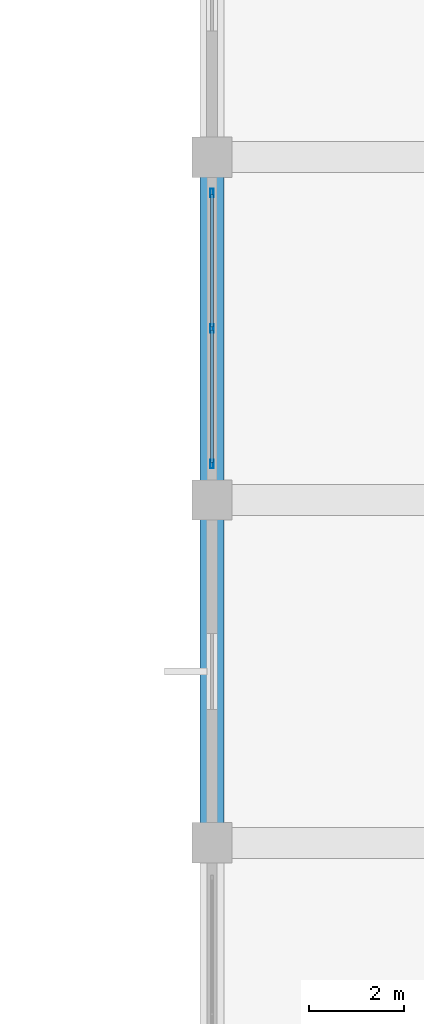
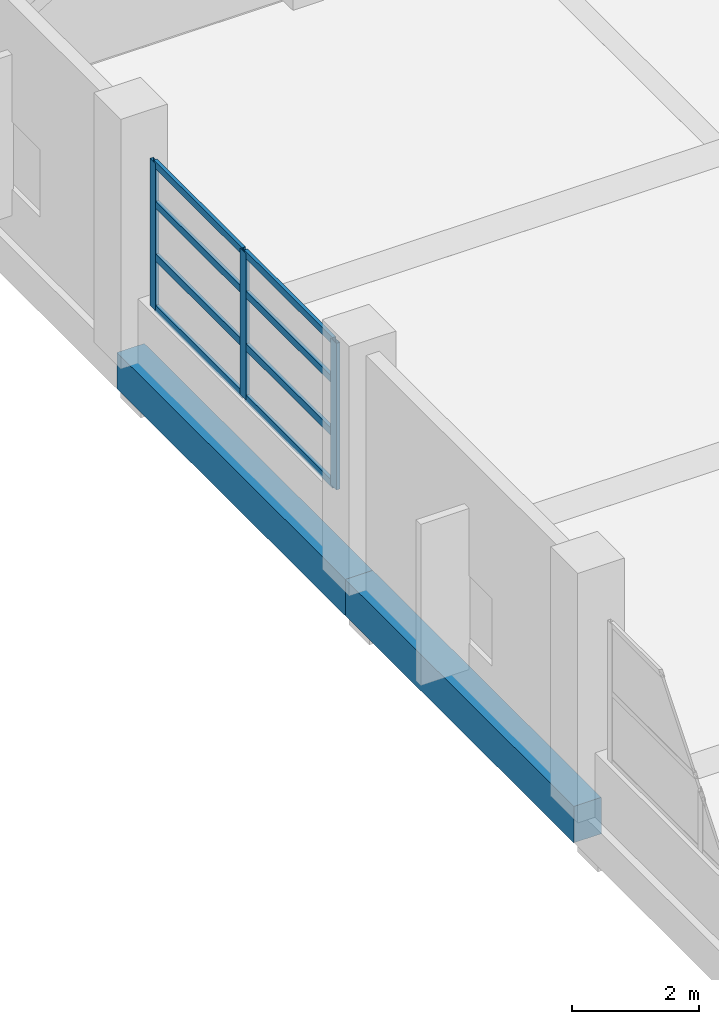
# One storey, part 79 of 181: 11 members, 2 beams, 1 element without a shape of its own.
"""IFC4 building model written with IfcOpenShell, lengths in metres."""

import ifcopenshell
import ifcopenshell.guid

model = None  # the IFC model being written
_history = None  # IfcOwnerHistory: only IFC2X3 demands one
_inside = {}  # id of a spatial element -> (the spatial element, [elements in it])
_under = {}  # id of a project, library or spatial element -> (it, [spatial elements below it])
_declared = {}  # id of a project -> (the project, [libraries it declares])
_typed = {}  # id of a type object -> (the type object, [elements of that type])
_made_of = {}  # id of a material, layer set ... -> (it, [elements and type objects made of it])


def new_model(schema):
    """Start an empty IFC model of exactly this schema.

    Asked for "IFC4X3", IfcOpenShell would pick the latest addendum, in which some entities
    have other attributes; the version numbers below select the first issue.
    IFC2X3 requires an IfcOwnerHistory on every rooted entity: one is made here for all.
    """
    global model, _history
    if schema == "IFC4X3":
        model = ifcopenshell.file(schema_version=(4, 3, 0, 0))
    else:
        model = ifcopenshell.file(schema=schema)
    _inside.clear()
    _under.clear()
    _declared.clear()
    _typed.clear()
    _made_of.clear()
    _history = None
    if model.schema == "IFC2X3":
        org = make("IfcOrganization", Name="unknown")
        user = make(
            "IfcPersonAndOrganization",
            ThePerson=make("IfcPerson", FamilyName="unknown"),
            TheOrganization=org,
        )
        app = make(
            "IfcApplication",
            ApplicationDeveloper=org,
            Version="unknown",
            ApplicationFullName="unknown",
            ApplicationIdentifier="unknown",
        )
        _history = make(
            "IfcOwnerHistory",
            OwningUser=user,
            OwningApplication=app,
            ChangeAction="ADDED",
            CreationDate=0,
        )
    return model


def make(cls, **values):
    """One entity of the class cls with the attributes given. An attribute that is None is left unset."""
    return model.create_entity(
        cls, **{name: value for name, value in values.items() if value is not None}
    )


def rooted(cls, **values):
    """An entity with a GlobalId (a new one), such as an element, a storey or a relation."""
    return make(cls, GlobalId=ifcopenshell.guid.new(), OwnerHistory=_history, **values)


def si_unit(unit_type, name, prefix=None):
    """IfcSIUnit, for example si_unit("LENGTHUNIT", "METRE", prefix="MILLI")."""
    return make("IfcSIUnit", UnitType=unit_type, Prefix=prefix, Name=name)


def assignment(units):
    """IfcUnitAssignment: the units of a project."""
    return None if units is None else make("IfcUnitAssignment", Units=units)


def point(xyz):
    """IfcCartesianPoint."""
    return None if xyz is None else make("IfcCartesianPoint", Coordinates=xyz)


def direction(xyz):
    """IfcDirection."""
    return None if xyz is None else make("IfcDirection", DirectionRatios=xyz)


def frame(location, z_axis=None, x_axis=None):
    """IfcAxis2Placement3D, a coordinate frame: its origin and axes. An axis left out is left unset."""
    return make(
        "IfcAxis2Placement3D",
        Location=point(location),
        Axis=direction(z_axis),
        RefDirection=direction(x_axis),
    )


def frame_2d(location, x_axis=None):
    """IfcAxis2Placement2D, a coordinate frame in the plane: its origin and x axis."""
    return make(
        "IfcAxis2Placement2D", Location=point(location), RefDirection=direction(x_axis)
    )


def origin():
    """The frame at (0, 0, 0) with its axes left unset."""
    return frame((0.0, 0.0, 0.0))


def origin_2d():
    """The frame at (0, 0) in the plane with its x axis left unset."""
    return frame_2d((0.0, 0.0))


def place(relative_to, where):
    """IfcLocalPlacement: puts the frame where relative to a parent placement (None: the world)."""
    return make(
        "IfcLocalPlacement", PlacementRelTo=relative_to, RelativePlacement=where
    )


def context(
    kind, dimensions, precision=None, world=None, true_north=None, identifier=None
):
    """IfcGeometricRepresentationContext, for example the 3D "Model" context."""
    return make(
        "IfcGeometricRepresentationContext",
        ContextIdentifier=identifier,
        ContextType=kind,
        CoordinateSpaceDimension=dimensions,
        Precision=precision,
        WorldCoordinateSystem=world,
        TrueNorth=true_north,
    )


def subcontext(parent, identifier, kind, view, scale=None):
    """IfcGeometricRepresentationSubContext, for example "Body" below "Model"."""
    return make(
        "IfcGeometricRepresentationSubContext",
        ContextIdentifier=identifier,
        ContextType=kind,
        ParentContext=parent,
        TargetScale=scale,
        TargetView=view,
    )


def project(units=None, contexts=None):
    """IfcProject with its units and contexts."""
    return rooted(
        "IfcProject",
        Name="project",
        RepresentationContexts=contexts,
        UnitsInContext=assignment(units),
    )


def spatial(cls, under=None, at=None, **own):
    """A site, building, storey or space (cls), placed at a placement, below another one or the project."""
    s = rooted(cls, ObjectPlacement=at, **own)
    if under is not None:
        _under.setdefault(under.id(), (under, []))[1].append(s)
    return s


def profile(cls, at=None, kind="AREA", **sizes):
    """A parametric profile (cls). Its sizes go by their IFC names, for example OverallWidth=200.0."""
    return make(cls, ProfileType=kind, Position=at, **sizes)


def rectangle(**sizes):
    """IfcRectangleProfileDef."""
    return profile("IfcRectangleProfileDef", **sizes)


def hollow_rectangle(**sizes):
    """IfcRectangleHollowProfileDef."""
    return profile("IfcRectangleHollowProfileDef", **sizes)


def extrude(swept, where, along, depth):
    """IfcExtrudedAreaSolid: the profile swept, set in the frame where, extruded along a direction by depth."""
    return make(
        "IfcExtrudedAreaSolid",
        SweptArea=swept,
        Position=where,
        ExtrudedDirection=direction(along),
        Depth=depth,
    )


def shape(context_of_items, identifier, shape_type, items):
    """IfcShapeRepresentation: the items that make up one representation, for example the "Body"."""
    return make(
        "IfcShapeRepresentation",
        ContextOfItems=context_of_items,
        RepresentationIdentifier=identifier,
        RepresentationType=shape_type,
        Items=items,
    )


def material(Name=None, Category=None):
    """IfcMaterial."""
    return make("IfcMaterial", Name=Name, Category=Category)


def layer(
    of_material, thickness, ventilated=None, Name=None, Category=None, Priority=None
):
    """IfcMaterialLayer: one layer of a wall or slab, of a material (None: an air gap)."""
    return make(
        "IfcMaterialLayer",
        Material=of_material,
        LayerThickness=thickness,
        IsVentilated=ventilated,
        Name=Name,
        Category=Category,
        Priority=Priority,
    )


def layer_set(layers, Name=None):
    """IfcMaterialLayerSet."""
    return make("IfcMaterialLayerSet", MaterialLayers=layers, LayerSetName=Name)


def material_profile(
    of_material, cross_section, Name=None, Category=None, Priority=None
):
    """IfcMaterialProfile: a cross section and its material."""
    return make(
        "IfcMaterialProfile",
        Name=Name,
        Material=of_material,
        Profile=cross_section,
        Priority=Priority,
        Category=Category,
    )


def profile_set(profiles, Name=None, composite=None):
    """IfcMaterialProfileSet."""
    return make(
        "IfcMaterialProfileSet",
        Name=Name,
        MaterialProfiles=profiles,
        CompositeProfile=composite,
    )


def made_of(thing, what):
    """Note that an element or type object is made of a material, layer set ...; save() writes the relation."""
    if what is not None:
        _made_of.setdefault(what.id(), (what, []))[1].append(thing)
    return thing


def type_object(cls, material=None, **own):
    """A type object (cls), such as IfcWallType, which elements share."""
    return made_of(rooted(cls, **own), material)


def element(
    cls,
    number,
    at=None,
    inside=None,
    cuts=None,
    type_object=None,
    material=None,
    context=None,
    identifier="Body",
    shape_type=None,
    held_by="IfcProductDefinitionShape",
    body=None,
    shapes=None,
    **own,
):
    """One element of the class cls, such as IfcWall. Its Tag is "e" and its number.

    at: its placement. inside: the storey or other place that contains it. cuts: it is an
    opening in that element (IfcRelVoidsElement). A single representation is given by context,
    identifier, shape_type and body (its items); several are given by shapes. held_by: the class
    of the entity that holds the representations. save() writes the other relations.
    """
    e = rooted(cls, Tag="e%d" % number, ObjectPlacement=at, **own)
    if body is not None:
        shapes = [shape(context, identifier, shape_type, body)]
    if shapes is not None:
        e.Representation = make(held_by, Representations=shapes)
    if inside is not None:
        _inside.setdefault(inside.id(), (inside, []))[1].append(e)
    if cuts is not None:
        rooted(
            "IfcRelVoidsElement", RelatingBuildingElement=cuts, RelatedOpeningElement=e
        )
    if type_object is not None:
        _typed.setdefault(type_object.id(), (type_object, []))[1].append(e)
    return made_of(e, material)


def aggregate(whole, parts):
    """IfcRelAggregates: a whole, such as a stair, and the parts it consists of."""
    return rooted("IfcRelAggregates", RelatingObject=whole, RelatedObjects=parts)


def save(model, path):
    """Write the relations noted so far, then the file.

    IfcRelAggregates (storeys below a building ...), IfcRelContainedInSpatialStructure (elements
    in a storey), IfcRelDefinesByType, IfcRelAssociatesMaterial and IfcRelDeclares: one each for
    every whole, place, type object, material and project.
    """
    for whole, parts in _under.values():
        aggregate(whole, parts)
    for where, things in _inside.values():
        rooted(
            "IfcRelContainedInSpatialStructure",
            RelatedElements=things,
            RelatingStructure=where,
        )
    for kind, things in _typed.values():
        rooted("IfcRelDefinesByType", RelatedObjects=things, RelatingType=kind)
    for what, things in _made_of.values():
        rooted("IfcRelAssociatesMaterial", RelatedObjects=things, RelatingMaterial=what)
    for by, libraries in _declared.values():
        rooted("IfcRelDeclares", RelatingContext=by, RelatedDefinitions=libraries)
    model.write(path)


model = new_model("IFC4")

# Units and contexts
model_context = context("Model", 3, precision=1e-05, world=origin(), true_north=direction((0.0, 1.0)))
body_context = subcontext(model_context, "Body", "Model", "MODEL_VIEW")
ifc_project = project(units=[si_unit("LENGTHUNIT", "METRE"), si_unit("AREAUNIT", "SQUARE_METRE"), si_unit("VOLUMEUNIT", "CUBIC_METRE"), si_unit("PLANEANGLEUNIT", "RADIAN"), si_unit("MASSUNIT", "GRAM", prefix="KILO")], contexts=[model_context])

# Site, building, storey
site_placement = place(None, origin())
site = spatial("IfcSite", under=ifc_project, at=site_placement, CompositionType="ELEMENT")
building_placement = place(site_placement, origin())
building = spatial("IfcBuilding", under=site, at=building_placement, Name="Seraya Terrace Polytechnic", CompositionType="ELEMENT")
storey_placement = place(building_placement, frame((0.0, 0.0, 4.800048828125)))
storey = spatial("IfcBuildingStorey", under=building, at=storey_placement, Name="L01", CompositionType="ELEMENT", Elevation=4.800048828125)

# Beams
ifc_material_1 = material(Name="Concrete C40/50", Category="concrete")
ifc_material_profile_1 = material_profile(ifc_material_1, rectangle(XDim=0.5, YDim=0.699951171875, at=origin_2d()), Name="RC 500x700")
ifc_profile_set_1 = profile_set([ifc_material_profile_1], Name="Concrete C40/50")
beam_type = type_object("IfcBeamType", Name="BM-07", PredefinedType="BEAM", material=ifc_profile_set_1)
for number, where, z_axis, x_axis, name in (
    (1, (14.39990234375, 93.60009765625, -0.35009765625), (0.0, 1.0, 0.0), (-1.0, 0.0, 0.0), "Beam BM-07 L01 Y (14.4, 93.6..100.8)"),
    (2, (14.39990234375, 100.800048828125, -0.35009765625), (0.0, 1.0, 0.0), (-1.0, 0.0, 0.0), "Beam BM-07 L01 Y (14.4, 100.8..108.0)"),
):
    element("IfcBeam", number, at=place(storey_placement, frame(where, z_axis=z_axis, x_axis=x_axis)), inside=storey, type_object=beam_type, Name=name, PredefinedType="BEAM", context=body_context, shape_type="SweptSolid", body=[
        extrude(rectangle(XDim=0.5, YDim=0.699951171875, at=origin_2d()), origin(), (0.0, 0.0, 1.0), 7.199951171875),
    ])

# Curtain wall, members
ifc_material_2 = material(Name="Anodised aluminium EN AW-6063 T6", Category="aluminium")
ifc_layer = layer(ifc_material_2, 0.179931640625, Name="CW-07")
ifc_layer_set = layer_set([ifc_layer], Name="Anodised aluminium EN AW-6063 T6")
curtain_wall_type = type_object("IfcCurtainWallType", Name="CW-07", PredefinedType="NOTDEFINED", material=ifc_layer_set)
curtain_wall_placement = place(storey_placement, origin())
curtain_wall = element("IfcCurtainWall", 3, at=curtain_wall_placement, inside=storey, type_object=curtain_wall_type, Name="Unitised curtain wall CW-07 (CW-L01-007)", PredefinedType="NOTDEFINED")
ifc_material_profile_2 = material_profile(ifc_material_2, hollow_rectangle(XDim=0.06494140625, YDim=0.179931640625, WallThickness=0.00390625, at=origin_2d()), Name="RHS 180x65x4.0")
ifc_profile_set_2 = profile_set([ifc_material_profile_2], Name="Anodised aluminium EN AW-6063 T6")
member_type_1 = type_object("IfcMemberType", Name="CWM-01", PredefinedType="MULLION", material=ifc_profile_set_2)
member_1_placement = place(storey_placement, frame((14.39990234375, 101.552490234375, 1.239990234375), z_axis=(0.0, 0.0, 1.0), x_axis=(-1.0, 0.0, 0.0)))
member_1 = element("IfcMember", 4, at=member_1_placement, type_object=member_type_1, Name="CW-07 mullion 1", PredefinedType="MULLION", context=body_context, shape_type="SweptSolid", body=[
    extrude(hollow_rectangle(XDim=0.06494140625, YDim=0.179931640625, WallThickness=0.00390625, at=origin_2d()), origin(), (0.0, 0.0, 1.0), 2.820068359375),
])
member_2_placement = place(storey_placement, frame((14.39990234375, 104.39990234375, 1.239990234375), z_axis=(0.0, 0.0, 1.0), x_axis=(-1.0, 0.0, 0.0)))
member_2 = element("IfcMember", 5, at=member_2_placement, type_object=member_type_1, Name="CW-07 mullion 2", PredefinedType="MULLION", context=body_context, shape_type="SweptSolid", body=[
    extrude(hollow_rectangle(XDim=0.06494140625, YDim=0.179931640625, WallThickness=0.00390625, at=origin_2d()), origin(), (0.0, 0.0, 1.0), 2.820068359375),
])
member_3_placement = place(storey_placement, frame((14.39990234375, 107.24755859375, 1.239990234375), z_axis=(0.0, 0.0, 1.0), x_axis=(-1.0, 0.0, 0.0)))
member_3 = element("IfcMember", 6, at=member_3_placement, type_object=member_type_1, Name="CW-07 mullion 3", PredefinedType="MULLION", context=body_context, shape_type="SweptSolid", body=[
    extrude(hollow_rectangle(XDim=0.06494140625, YDim=0.179931640625, WallThickness=0.00390625, at=origin_2d()), origin(), (0.0, 0.0, 1.0), 2.820068359375),
])
ifc_material_profile_3 = material_profile(ifc_material_2, hollow_rectangle(XDim=0.06005859375, YDim=0.139892578125, WallThickness=0.00341796875, at=origin_2d()), Name="RHS 140x60x3.5")
ifc_profile_set_3 = profile_set([ifc_material_profile_3], Name="Anodised aluminium EN AW-6063 T6")
member_type_2 = type_object("IfcMemberType", Name="CWT-01", PredefinedType="USERDEFINED", material=ifc_profile_set_3)
member_4_placement = place(storey_placement, frame((14.39990234375, 101.5849609375, 1.27001953125), z_axis=(0.0, 1.0, 0.0), x_axis=(-1.0, 0.0, 0.0)))
member_4 = element("IfcMember", 7, at=member_4_placement, type_object=member_type_2, Name="CW-07 transom 1.1", ObjectType="TRANSOM", PredefinedType="USERDEFINED", context=body_context, shape_type="SweptSolid", body=[
    extrude(hollow_rectangle(XDim=0.06005859375, YDim=0.139892578125, WallThickness=0.00341796875, at=origin_2d()), origin(), (0.0, 0.0, 1.0), 2.782470703125),
])
member_5_placement = place(storey_placement, frame((14.39990234375, 101.5849609375, 2.255126953125), z_axis=(0.0, 1.0, 0.0), x_axis=(-1.0, 0.0, 0.0)))
member_5 = element("IfcMember", 8, at=member_5_placement, type_object=member_type_2, Name="CW-07 transom 1.2", ObjectType="TRANSOM", PredefinedType="USERDEFINED", context=body_context, shape_type="SweptSolid", body=[
    extrude(hollow_rectangle(XDim=0.06005859375, YDim=0.139892578125, WallThickness=0.00341796875, at=origin_2d()), origin(), (0.0, 0.0, 1.0), 2.782470703125),
])
member_6_placement = place(storey_placement, frame((14.39990234375, 101.5849609375, 3.270263671875), z_axis=(0.0, 1.0, 0.0), x_axis=(-1.0, 0.0, 0.0)))
member_6 = element("IfcMember", 9, at=member_6_placement, type_object=member_type_2, Name="CW-07 transom 1.3", ObjectType="TRANSOM", PredefinedType="USERDEFINED", context=body_context, shape_type="SweptSolid", body=[
    extrude(hollow_rectangle(XDim=0.06005859375, YDim=0.139892578125, WallThickness=0.00341796875, at=origin_2d()), origin(), (0.0, 0.0, 1.0), 2.782470703125),
])
member_7_placement = place(storey_placement, frame((14.39990234375, 101.5849609375, 4.030029296875), z_axis=(0.0, 1.0, 0.0), x_axis=(-1.0, 0.0, 0.0)))
member_7 = element("IfcMember", 10, at=member_7_placement, type_object=member_type_2, Name="CW-07 transom 1.4", ObjectType="TRANSOM", PredefinedType="USERDEFINED", context=body_context, shape_type="SweptSolid", body=[
    extrude(hollow_rectangle(XDim=0.06005859375, YDim=0.139892578125, WallThickness=0.00341796875, at=origin_2d()), origin(), (0.0, 0.0, 1.0), 2.782470703125),
])
member_8_placement = place(storey_placement, frame((14.39990234375, 104.4326171875, 1.27001953125), z_axis=(0.0, 1.0, 0.0), x_axis=(-1.0, 0.0, 0.0)))
member_8 = element("IfcMember", 11, at=member_8_placement, type_object=member_type_2, Name="CW-07 transom 2.1", ObjectType="TRANSOM", PredefinedType="USERDEFINED", context=body_context, shape_type="SweptSolid", body=[
    extrude(hollow_rectangle(XDim=0.06005859375, YDim=0.139892578125, WallThickness=0.00341796875, at=origin_2d()), origin(), (0.0, 0.0, 1.0), 2.782470703125),
])
member_9_placement = place(storey_placement, frame((14.39990234375, 104.4326171875, 2.255126953125), z_axis=(0.0, 1.0, 0.0), x_axis=(-1.0, 0.0, 0.0)))
member_9 = element("IfcMember", 12, at=member_9_placement, type_object=member_type_2, Name="CW-07 transom 2.2", ObjectType="TRANSOM", PredefinedType="USERDEFINED", context=body_context, shape_type="SweptSolid", body=[
    extrude(hollow_rectangle(XDim=0.06005859375, YDim=0.139892578125, WallThickness=0.00341796875, at=origin_2d()), origin(), (0.0, 0.0, 1.0), 2.782470703125),
])
member_10_placement = place(storey_placement, frame((14.39990234375, 104.4326171875, 3.270263671875), z_axis=(0.0, 1.0, 0.0), x_axis=(-1.0, 0.0, 0.0)))
member_10 = element("IfcMember", 13, at=member_10_placement, type_object=member_type_2, Name="CW-07 transom 2.3", ObjectType="TRANSOM", PredefinedType="USERDEFINED", context=body_context, shape_type="SweptSolid", body=[
    extrude(hollow_rectangle(XDim=0.06005859375, YDim=0.139892578125, WallThickness=0.00341796875, at=origin_2d()), origin(), (0.0, 0.0, 1.0), 2.782470703125),
])
member_11_placement = place(storey_placement, frame((14.39990234375, 104.4326171875, 4.030029296875), z_axis=(0.0, 1.0, 0.0), x_axis=(-1.0, 0.0, 0.0)))
member_11 = element("IfcMember", 14, at=member_11_placement, type_object=member_type_2, Name="CW-07 transom 2.4", ObjectType="TRANSOM", PredefinedType="USERDEFINED", context=body_context, shape_type="SweptSolid", body=[
    extrude(hollow_rectangle(XDim=0.06005859375, YDim=0.139892578125, WallThickness=0.00341796875, at=origin_2d()), origin(), (0.0, 0.0, 1.0), 2.782470703125),
])
aggregate(curtain_wall, [member_1, member_2, member_3, member_4, member_5, member_6, member_7, member_8, member_9, member_10, member_11])

save(model, "model.ifc")
